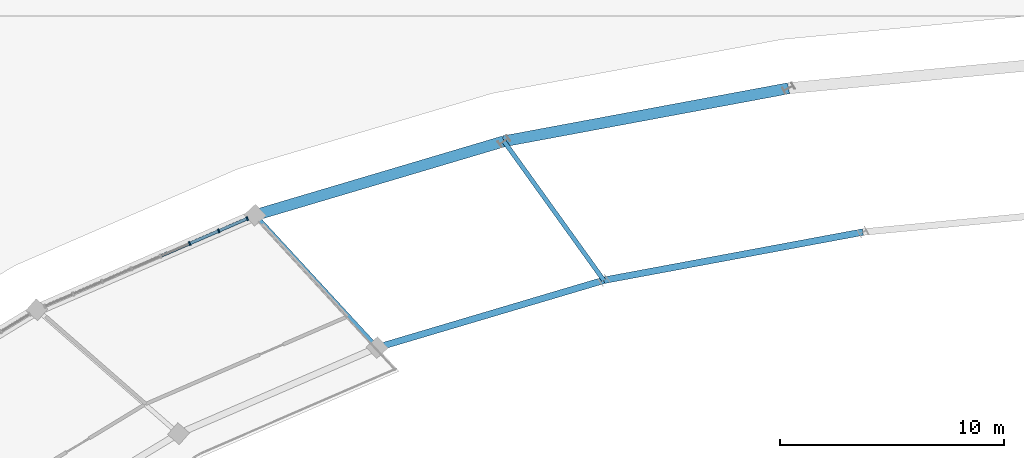
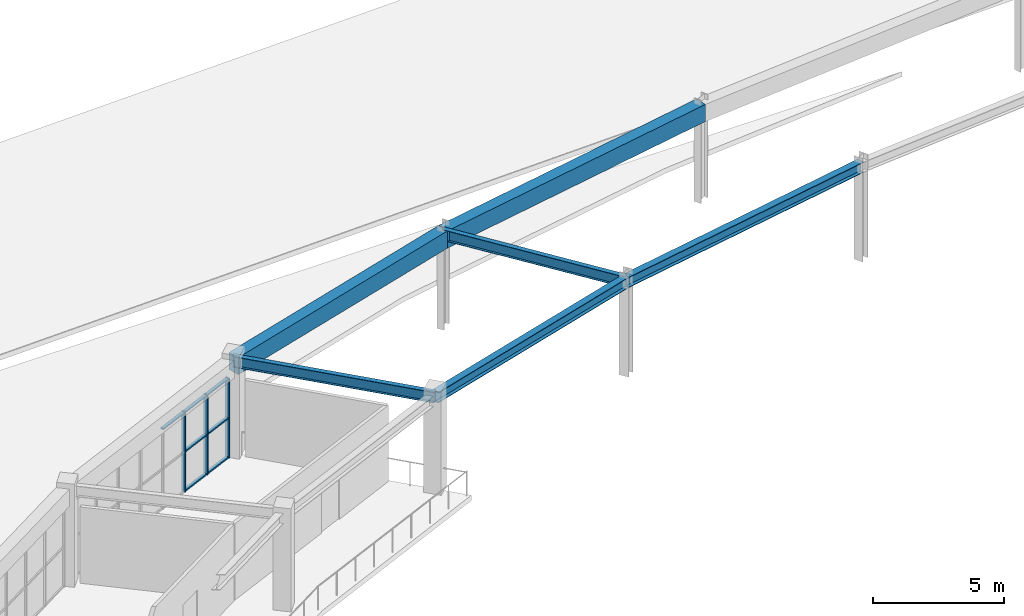
# One storey, part 26 of 45: 10 members, 6 beams, 1 element without a shape of its own.
"""IFC4 building model written with IfcOpenShell, lengths in metres."""

from ifc_helpers import new_model, si_unit, direction, frame, origin, origin_2d, place, context, subcontext, project, spatial, rectangle, i_section, extrude, material, layer, layer_set, material_profile, profile_set, type_object, element, aggregate, save


model = new_model("IFC4")

# Units and contexts
model_context = context("Model", 3, precision=1e-05, world=origin(), true_north=direction((0.0, 1.0)))
body_context = subcontext(model_context, "Body", "Model", "MODEL_VIEW")
ifc_project = project(units=[si_unit("LENGTHUNIT", "METRE"), si_unit("AREAUNIT", "SQUARE_METRE"), si_unit("VOLUMEUNIT", "CUBIC_METRE"), si_unit("PLANEANGLEUNIT", "RADIAN"), si_unit("MASSUNIT", "GRAM", prefix="KILO")], contexts=[model_context])

# Site, building, storey
site_placement = place(None, origin())
site = spatial("IfcSite", under=ifc_project, at=site_placement, CompositionType="ELEMENT")
building_placement = place(site_placement, origin())
building = spatial("IfcBuilding", under=site, at=building_placement, Name="Mphavela Belvedere Stadium", CompositionType="ELEMENT")
storey_placement = place(building_placement, frame((0.0, 0.0, 24.0)))
storey = spatial("IfcBuildingStorey", under=building, at=storey_placement, Name="L05", CompositionType="ELEMENT", Elevation=24.0)

# Beams
ifc_material_1 = material(Name="Concrete C40/50", Category="concrete")
ifc_material_profile_1 = material_profile(ifc_material_1, rectangle(XDim=0.5, YDim=0.800048828125, at=origin_2d()), Name="RC 500x800")
ifc_profile_set_1 = profile_set([ifc_material_profile_1], Name="Concrete C40/50")
beam_type_1 = type_object("IfcBeamType", Name="BM-SPANDREL-800", PredefinedType="SPANDREL", material=ifc_profile_set_1)
beam_1_placement = place(storey_placement, frame((77.92724609375, 158.767333984375, 4.14990234375), z_axis=(-0.983098571421, -0.183077029882, 0.0), x_axis=(0.183077029882, -0.983098571421, 0.0)))
element("IfcBeam", 1, at=beam_1_placement, inside=storey, type_object=beam_type_1, Name="Circumferential girder L05 R4-15", PredefinedType="SPANDREL", context=body_context, shape_type="SweptSolid", body=[
    extrude(rectangle(XDim=0.5, YDim=0.800048828125, at=origin_2d()), origin(), (0.0, 0.0, 1.0), 12.947265625),
])
beam_2_placement = place(storey_placement, frame((65.19873046875, 156.39697265625, 4.14990234375), z_axis=(-0.958656362639, -0.284566298727, 0.0), x_axis=(0.284566298727, -0.958656362639, 0.0)))
element("IfcBeam", 2, at=beam_2_placement, inside=storey, type_object=beam_type_1, Name="Circumferential girder L05 R4-16", PredefinedType="SPANDREL", context=body_context, shape_type="SweptSolid", body=[
    extrude(rectangle(XDim=0.5, YDim=0.800048828125, at=origin_2d()), origin(), (0.0, 0.0, 1.0), 11.616455078125),
])
ifc_material_2 = material(Name="Steel S355", Category="steel")
ifc_material_profile_2 = material_profile(ifc_material_2, i_section(OverallWidth=0.300048828125, OverallDepth=0.489990234375, WebThickness=0.011962890625, FlangeThickness=0.02294921875, at=origin_2d()), Name="HEA 500")
ifc_profile_set_2 = profile_set([ifc_material_profile_2], Name="Steel S355")
beam_type_2 = type_object("IfcBeamType", Name="BM-STEEL-HEA500", PredefinedType="BEAM", material=ifc_profile_set_2)
beam_3_placement = place(storey_placement, frame((81.249755859375, 152.33544921875, 4.304931640625), z_axis=(-0.983097725009, -0.18308157494, 0.0), x_axis=(0.18308157494, -0.983097725009, 0.0)))
element("IfcBeam", 3, at=beam_3_placement, inside=storey, type_object=beam_type_2, Name="Circumferential girder L05 R3-15", PredefinedType="BEAM", context=body_context, shape_type="SweptSolid", body=[
    extrude(i_section(OverallWidth=0.300048828125, OverallDepth=0.489990234375, WebThickness=0.011962890625, FlangeThickness=0.02294921875, at=origin_2d()), origin(), (0.0, 0.0, 1.0), 11.786865234375),
])
beam_4_placement = place(storey_placement, frame((69.662109375, 150.177490234375, 4.304931640625), z_axis=(-0.958655230784, -0.284570111731, 0.0), x_axis=(0.284570111731, -0.958655230784, 0.0)))
element("IfcBeam", 4, at=beam_4_placement, inside=storey, type_object=beam_type_2, Name="Circumferential girder L05 R3-16", PredefinedType="BEAM", context=body_context, shape_type="SweptSolid", body=[
    extrude(i_section(OverallWidth=0.300048828125, OverallDepth=0.489990234375, WebThickness=0.011962890625, FlangeThickness=0.02294921875, at=origin_2d()), origin(), (0.0, 0.0, 1.0), 10.57568359375),
])
ifc_material_3 = material(Name="Steel S355", Category="steel")
ifc_material_profile_3 = material_profile(ifc_material_3, i_section(OverallWidth=0.199951171875, OverallDepth=0.5, WebThickness=0.01025390625, FlangeThickness=0.01611328125, at=origin_2d()), Name="IPE 500")
ifc_profile_set_3 = profile_set([ifc_material_profile_3], Name="Steel S355")
beam_type_3 = type_object("IfcBeamType", Name="BM-STEEL-IPE500", PredefinedType="BEAM", material=ifc_profile_set_3)
beam_5_placement = place(storey_placement, frame((69.662109375, 150.177490234375, 4.300048828125), z_axis=(-0.583043812448, 0.812440713385, 0.0), x_axis=(-0.812440713385, -0.583043812448, 0.0)))
element("IfcBeam", 5, at=beam_5_placement, inside=storey, type_object=beam_type_3, Name="Radial concourse girder L05 R3R4-16", PredefinedType="BEAM", context=body_context, shape_type="SweptSolid", body=[
    extrude(i_section(OverallWidth=0.199951171875, OverallDepth=0.5, WebThickness=0.01025390625, FlangeThickness=0.01611328125, at=origin_2d()), origin(), (0.0, 0.0, 1.0), 7.6552734375),
])
beam_6_placement = place(storey_placement, frame((59.523681640625, 147.16796875, 4.300048828125), z_axis=(-0.67784325477, 0.735206448532, 0.0), x_axis=(-0.735206448532, -0.67784325477, 0.0)))
element("IfcBeam", 6, at=beam_6_placement, inside=storey, type_object=beam_type_3, Name="Radial concourse girder L05 R3R4-17", PredefinedType="BEAM", context=body_context, shape_type="SweptSolid", body=[
    extrude(i_section(OverallWidth=0.199951171875, OverallDepth=0.5, WebThickness=0.01025390625, FlangeThickness=0.01611328125, at=origin_2d()), origin(), (0.0, 0.0, 1.0), 8.056640625),
])

# Curtain wall, members
ifc_material_4 = material(Name="Anodised bronze unitised curtain wall framing")
ifc_layer = layer(ifc_material_4, 0.199951171875)
ifc_layer_set = layer_set([ifc_layer], Name="Anodised bronze unitised curtain wall framing")
curtain_wall_type = type_object("IfcCurtainWallType", Name="CW-UNIT-05", PredefinedType="USERDEFINED", material=ifc_layer_set)
curtain_wall_placement = place(storey_placement, origin())
curtain_wall = element("IfcCurtainWall", 7, at=curtain_wall_placement, inside=storey, type_object=curtain_wall_type, Name="Belvedere colonnade curtain wall L05-17", ObjectType="UNITISED CURTAIN WALL", PredefinedType="USERDEFINED")
ifc_material_5 = material(Name="Anodised bronze extruded aluminium", Category="aluminium")
ifc_material_profile_4 = material_profile(ifc_material_5, rectangle(XDim=0.179931640625, YDim=0.06494140625, at=origin_2d()), Name="CW-MUL 180x65")
ifc_profile_set_4 = profile_set([ifc_material_profile_4], Name="Anodised bronze extruded aluminium")
member_type_1 = type_object("IfcMemberType", Name="CWM-180x65", PredefinedType="MULLION", material=ifc_profile_set_4)
member_1_placement = place(storey_placement, frame((53.71337890625, 152.93994140625, 0.0), z_axis=(0.0, 0.0, 1.0), x_axis=(0.39774295054, -0.917496891164, 0.0)))
member_1 = element("IfcMember", 8, at=member_1_placement, type_object=member_type_1, Name="CW-05 mullion 1", PredefinedType="MULLION", context=body_context, shape_type="SweptSolid", body=[
    extrude(rectangle(XDim=0.179931640625, YDim=0.06494140625, at=origin_2d()), origin(), (0.0, 0.0, 1.0), 3.719970703125),
])
member_2_placement = place(storey_placement, frame((52.440185546875, 152.38818359375, 0.0), z_axis=(0.0, 0.0, 1.0), x_axis=(0.39774295054, -0.917496891164, 0.0)))
member_2 = element("IfcMember", 9, at=member_2_placement, type_object=member_type_1, Name="CW-05 mullion 2", PredefinedType="MULLION", context=body_context, shape_type="SweptSolid", body=[
    extrude(rectangle(XDim=0.179931640625, YDim=0.06494140625, at=origin_2d()), origin(), (0.0, 0.0, 1.0), 3.719970703125),
])
member_3_placement = place(storey_placement, frame((51.137451171875, 151.8232421875, 0.0), z_axis=(0.0, 0.0, 1.0), x_axis=(0.39774295054, -0.917496891164, 0.0)))
member_3 = element("IfcMember", 10, at=member_3_placement, type_object=member_type_1, Name="CW-05 mullion 3", PredefinedType="MULLION", context=body_context, shape_type="SweptSolid", body=[
    extrude(rectangle(XDim=0.179931640625, YDim=0.06494140625, at=origin_2d()), origin(), (0.0, 0.0, 1.0), 3.719970703125),
])
ifc_material_6 = material(Name="Anodised bronze extruded aluminium", Category="aluminium")
ifc_material_profile_5 = material_profile(ifc_material_6, rectangle(XDim=0.139892578125, YDim=0.06005859375, at=origin_2d()), Name="CW-TRN 140x60")
ifc_profile_set_5 = profile_set([ifc_material_profile_5], Name="Anodised bronze extruded aluminium")
member_type_2 = type_object("IfcMemberType", Name="CWT-140x60", PredefinedType="USERDEFINED", material=ifc_profile_set_5)
member_4_placement = place(storey_placement, frame((53.683349609375, 152.927001953125, 0.030029296875), z_axis=(-0.917533173088, -0.397659246445, 0.0), x_axis=(0.397659246445, -0.917533173088, 0.0)))
member_4 = element("IfcMember", 11, at=member_4_placement, type_object=member_type_2, Name="CW-05 transom 1.1", ObjectType="TRANSOM", PredefinedType="USERDEFINED", context=body_context, shape_type="SweptSolid", body=[
    extrude(rectangle(XDim=0.139892578125, YDim=0.06005859375, at=origin_2d()), origin(), (0.0, 0.0, 1.0), 1.322509765625),
])
member_5_placement = place(storey_placement, frame((53.683349609375, 152.927001953125, 1.860107421875), z_axis=(-0.917533173088, -0.397659246445, 0.0), x_axis=(0.397659246445, -0.917533173088, 0.0)))
member_5 = element("IfcMember", 12, at=member_5_placement, type_object=member_type_2, Name="CW-05 transom 1.2", ObjectType="TRANSOM", PredefinedType="USERDEFINED", context=body_context, shape_type="SweptSolid", body=[
    extrude(rectangle(XDim=0.139892578125, YDim=0.06005859375, at=origin_2d()), origin(), (0.0, 0.0, 1.0), 1.322509765625),
])
member_6_placement = place(storey_placement, frame((53.683349609375, 152.927001953125, 3.68994140625), z_axis=(-0.917533173088, -0.397659246445, 0.0), x_axis=(0.397659246445, -0.917533173088, 0.0)))
member_6 = element("IfcMember", 13, at=member_6_placement, type_object=member_type_2, Name="CW-05 transom 1.3", ObjectType="TRANSOM", PredefinedType="USERDEFINED", context=body_context, shape_type="SweptSolid", body=[
    extrude(rectangle(XDim=0.139892578125, YDim=0.06005859375, at=origin_2d()), origin(), (0.0, 0.0, 1.0), 1.322509765625),
])
member_7_placement = place(storey_placement, frame((52.410400390625, 152.375244140625, 0.030029296875), z_axis=(-0.917459189536, -0.397829907796, 0.0), x_axis=(0.397829907796, -0.917459189536, 0.0)))
member_7 = element("IfcMember", 14, at=member_7_placement, type_object=member_type_2, Name="CW-05 transom 2.1", ObjectType="TRANSOM", PredefinedType="USERDEFINED", context=body_context, shape_type="SweptSolid", body=[
    extrude(rectangle(XDim=0.139892578125, YDim=0.06005859375, at=origin_2d()), origin(), (0.0, 0.0, 1.0), 1.35498046875),
])
member_8_placement = place(storey_placement, frame((52.410400390625, 152.375244140625, 1.860107421875), z_axis=(-0.917459189536, -0.397829907796, 0.0), x_axis=(0.397829907796, -0.917459189536, 0.0)))
member_8 = element("IfcMember", 15, at=member_8_placement, type_object=member_type_2, Name="CW-05 transom 2.2", ObjectType="TRANSOM", PredefinedType="USERDEFINED", context=body_context, shape_type="SweptSolid", body=[
    extrude(rectangle(XDim=0.139892578125, YDim=0.06005859375, at=origin_2d()), origin(), (0.0, 0.0, 1.0), 1.35498046875),
])
member_9_placement = place(storey_placement, frame((52.410400390625, 152.375244140625, 3.68994140625), z_axis=(-0.917459189536, -0.397829907796, 0.0), x_axis=(0.397829907796, -0.917459189536, 0.0)))
member_9 = element("IfcMember", 16, at=member_9_placement, type_object=member_type_2, Name="CW-05 transom 2.3", ObjectType="TRANSOM", PredefinedType="USERDEFINED", context=body_context, shape_type="SweptSolid", body=[
    extrude(rectangle(XDim=0.139892578125, YDim=0.06005859375, at=origin_2d()), origin(), (0.0, 0.0, 1.0), 1.35498046875),
])
member_10_placement = place(storey_placement, frame((51.107666015625, 151.810302734375, 3.68994140625), z_axis=(-0.917553434392, -0.39761249356, 0.0), x_axis=(0.39761249356, -0.917553434392, 0.0)))
member_10 = element("IfcMember", 17, at=member_10_placement, type_object=member_type_2, Name="CW-05 transom 3.3", ObjectType="TRANSOM", PredefinedType="USERDEFINED", context=body_context, shape_type="SweptSolid", body=[
    extrude(rectangle(XDim=0.139892578125, YDim=0.06005859375, at=origin_2d()), origin(), (0.0, 0.0, 1.0), 1.355224609375),
])
aggregate(curtain_wall, [member_1, member_2, member_3, member_4, member_5, member_6, member_7, member_8, member_9, member_10])

save(model, "model.ifc")
